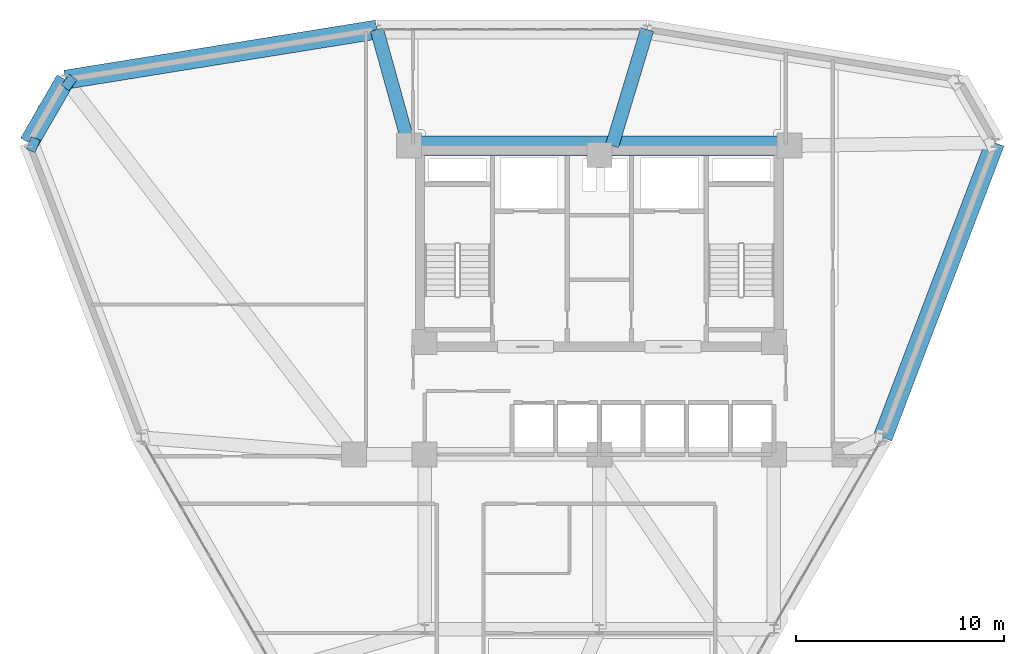
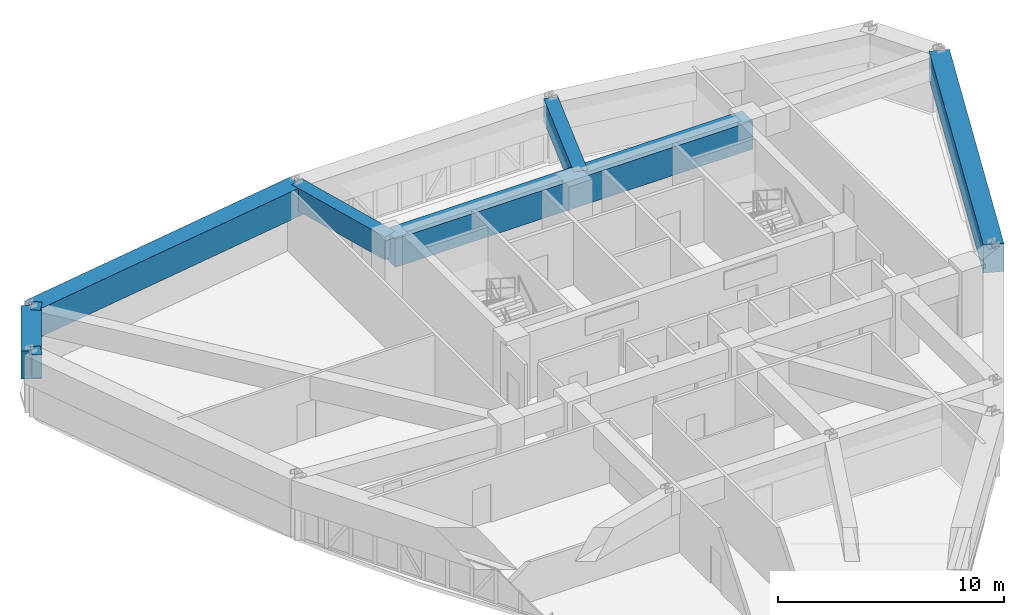
# One storey, part 7 of 13: 8 beams.
"""IFC4 building model written with IfcOpenShell, lengths in metres."""

from ifc_helpers import new_model, si_unit, derived_unit, direction, frame, origin, origin_2d, place, context, subcontext, project, spatial, rectangle, extrude, source, transform, mapped, material, material_profile, profile_set, type_object, element, save


model = new_model("IFC4")

# Units and contexts
model_context = context("Model", 3, precision=1e-05, world=origin(), true_north=direction((0.0, 1.0)))
body_context = subcontext(model_context, "Body", "Model", "MODEL_VIEW")
ifc_project = project(units=[si_unit("LENGTHUNIT", "METRE"), si_unit("AREAUNIT", "SQUARE_METRE"), si_unit("VOLUMEUNIT", "CUBIC_METRE"), si_unit("PLANEANGLEUNIT", "RADIAN"), si_unit("MASSUNIT", "GRAM", prefix="KILO"), derived_unit("THERMALTRANSMITTANCEUNIT", [(si_unit("POWERUNIT", "WATT"), 1), (si_unit("LENGTHUNIT", "METRE"), -2), (si_unit("THERMODYNAMICTEMPERATUREUNIT", "KELVIN"), -1)])], contexts=[model_context])

# Site, building, storey
site_placement = place(None, origin())
site = spatial("IfcSite", under=ifc_project, at=site_placement, CompositionType="ELEMENT")
building_placement = place(site_placement, origin())
building = spatial("IfcBuilding", under=site, at=building_placement, Name="Korsvarv Bourse and Concert Hall", CompositionType="ELEMENT")
storey_placement = place(building_placement, frame((0.0, 0.0, 154.199951171875)))
storey = spatial("IfcBuildingStorey", under=building, at=storey_placement, Name="L39", CompositionType="ELEMENT", Elevation=154.199951171875)

# Beams
ifc_material = material(Name="Concrete C50/60", Category="concrete")
ifc_material_profile_1 = material_profile(ifc_material, rectangle(XDim=0.919921875, YDim=1.530029296875, at=origin_2d()), Name="RC-BM 920x1530")
ifc_profile_set_1 = profile_set([ifc_material_profile_1], Name="Concrete C50/60")
beam_type_1 = type_object("IfcBeamType", Name="BM-TR-154", PredefinedType="BEAM", material=ifc_profile_set_1)
shared_shape_1 = source(origin(), body_context, "Body", "SweptSolid", [
    extrude(rectangle(XDim=0.919921875, YDim=1.530029296875, at=origin_2d()), origin(), (0.0, 0.0, 1.0), 18.2998046875),
])
beam_1_placement = place(storey_placement, frame((26.85009765625, 47.25, 2.635009765625), z_axis=(1.0, 0.0, 0.0), x_axis=(0.0, 1.0, 0.0)))
element("IfcBeam", 1, at=beam_1_placement, inside=storey, type_object=beam_type_1, Name="L39 beam B-TR6", PredefinedType="BEAM", context=body_context, shape_type="MappedRepresentation", body=[
    mapped(shared_shape_1, transform((0.0, 0.0, 0.0), scale=1.0)),
])
shared_shape_2 = source(origin(), body_context, "Body", "SweptSolid", [
    extrude(rectangle(XDim=0.919921875, YDim=1.530029296875, at=origin_2d()), origin(), (0.0, 0.0, 1.0), 3.505859375),
])
beam_2_placement = place(storey_placement, frame((10.31884765625, 50.42626953125, 2.635009765625), z_axis=(-0.500003763204, -0.866023231087, 0.0), x_axis=(0.866023231087, -0.500003763204, 0.0)))
element("IfcBeam", 2, at=beam_2_placement, inside=storey, type_object=beam_type_1, Name="L39 beam B-TR6", PredefinedType="BEAM", context=body_context, shape_type="MappedRepresentation", body=[
    mapped(shared_shape_2, transform((0.0, 0.0, 0.0), scale=1.0)),
])
shared_shape_3 = source(origin(), body_context, "Body", "SweptSolid", [
    extrude(rectangle(XDim=0.919921875, YDim=1.530029296875, at=origin_2d()), origin(), (0.0, 0.0, 1.0), 15.173095703125),
])
for number, where, z_axis, x_axis, name in (
    (3, (25.29931640625, 52.83642578125, 2.635009765625), (-0.987303708497, -0.158843908251, 0.0), (0.158843908251, -0.987303708497, 0.0), "L39 beam B-TR6"),
    (4, (49.631103515625, 33.211669921875, 2.635009765625), (0.356082310226, 0.934454594052, 0.0), (-0.934454594052, 0.356082310226, 0.0), "L39 beam B-TR6"),
):
    element("IfcBeam", number, at=place(storey_placement, frame(where, z_axis=z_axis, x_axis=x_axis)), inside=storey, type_object=beam_type_1, Name=name, PredefinedType="BEAM", context=body_context, shape_type="MappedRepresentation", body=[
        mapped(shared_shape_3, transform((0.0, 0.0, 0.0), scale=1.0)),
    ])
ifc_material_profile_2 = material_profile(ifc_material, rectangle(XDim=0.64990234375, YDim=1.239990234375, at=origin_2d()), Name="RC-BM 650x1240")
ifc_profile_set_2 = profile_set([ifc_material_profile_2], Name="Concrete C50/60")
beam_type_2 = type_object("IfcBeamType", Name="BM-TR-SPN", PredefinedType="BEAM", material=ifc_profile_set_2)
shared_shape_4 = source(origin(), body_context, "Body", "SweptSolid", [
    extrude(rectangle(XDim=0.64990234375, YDim=1.239990234375, at=origin_2d()), origin(), (0.0, 0.0, 1.0), 5.797607421875),
])
beam_3_placement = place(storey_placement, frame((25.29931640625, 52.83642578125, 2.780029296875), z_axis=(0.267483141987, -0.963562540136, 0.0), x_axis=(0.963562540136, 0.267483141987, 0.0)))
element("IfcBeam", 5, at=beam_3_placement, inside=storey, type_object=beam_type_2, Name="L39 beam B-TRS", PredefinedType="BEAM", context=body_context, shape_type="MappedRepresentation", body=[
    mapped(shared_shape_4, transform((0.0, 0.0, 0.0), scale=1.0)),
])
shared_shape_5 = source(origin(), body_context, "Body", "SweptSolid", [
    extrude(rectangle(XDim=0.64990234375, YDim=1.239990234375, at=origin_2d()), origin(), (0.0, 0.0, 1.0), 0.455078125),
])
beam_4_placement = place(storey_placement, frame((8.56591796875, 47.39013671875, 2.780029296875), z_axis=(0.921978275824, -0.38724160276, 0.0), x_axis=(0.38724160276, 0.921978275824, 0.0)))
element("IfcBeam", 6, at=beam_4_placement, inside=storey, type_object=beam_type_2, Name="L39 beam B-TRS", PredefinedType="BEAM", context=body_context, shape_type="MappedRepresentation", body=[
    mapped(shared_shape_5, transform((0.0, 0.0, 0.0), scale=1.0)),
])
shared_shape_6 = source(origin(), body_context, "Body", "SweptSolid", [
    extrude(rectangle(XDim=0.64990234375, YDim=1.239990234375, at=origin_2d()), origin(), (0.0, 0.0, 1.0), 5.835205078125),
])
beam_5_placement = place(storey_placement, frame((38.30078125, 52.83642578125, 2.780029296875), z_axis=(-0.288936584897, -0.957348238578, 0.0), x_axis=(0.957348238578, -0.288936584897, 0.0)))
element("IfcBeam", 7, at=beam_5_placement, inside=storey, type_object=beam_type_2, Name="L39 beam B-TRS", PredefinedType="BEAM", context=body_context, shape_type="MappedRepresentation", body=[
    mapped(shared_shape_6, transform((0.0, 0.0, 0.0), scale=1.0)),
])
shared_shape_7 = source(origin(), body_context, "Body", "SweptSolid", [
    extrude(rectangle(XDim=0.64990234375, YDim=1.239990234375, at=origin_2d()), origin(), (0.0, 0.0, 1.0), 0.455322265625),
])
beam_6_placement = place(storey_placement, frame((10.31884765625, 50.42626953125, 2.780029296875), z_axis=(0.796317166528, -0.604879302252, 0.0), x_axis=(0.604879302252, 0.796317166528, 0.0)))
element("IfcBeam", 8, at=beam_6_placement, inside=storey, type_object=beam_type_2, Name="L39 beam B-TRS", PredefinedType="BEAM", context=body_context, shape_type="MappedRepresentation", body=[
    mapped(shared_shape_7, transform((0.0, 0.0, 0.0), scale=1.0)),
])

save(model, "model.ifc")
